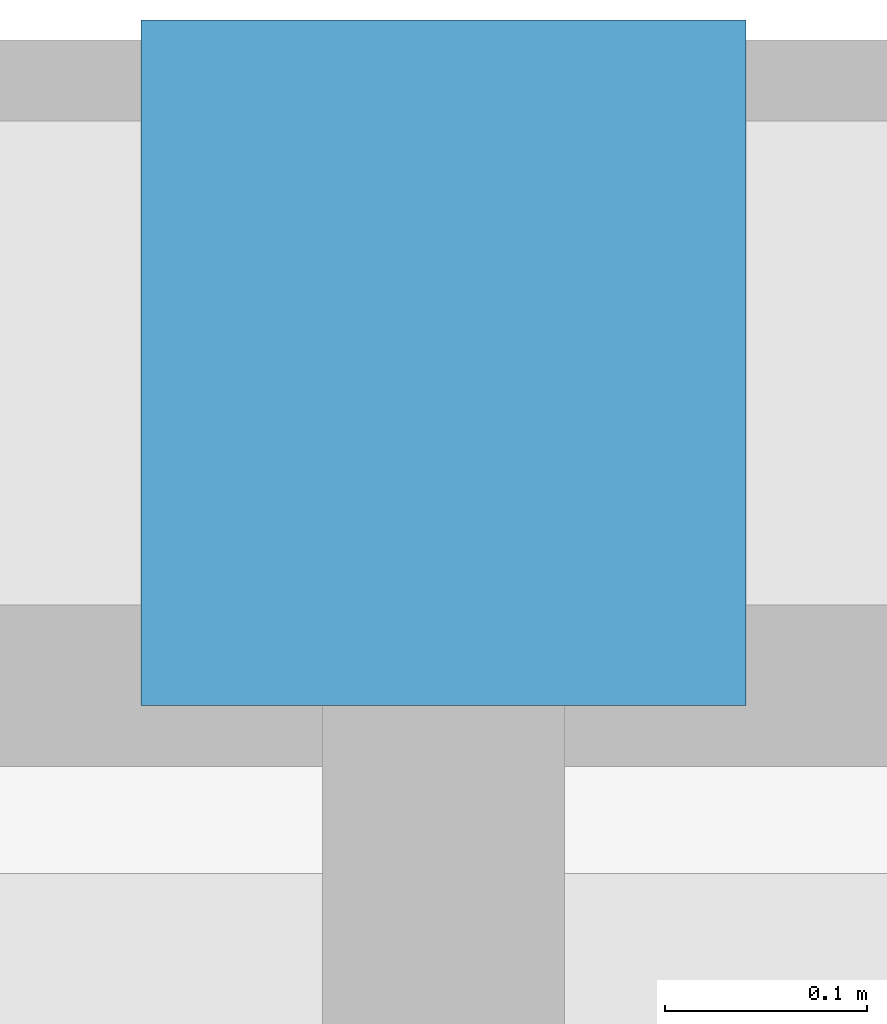
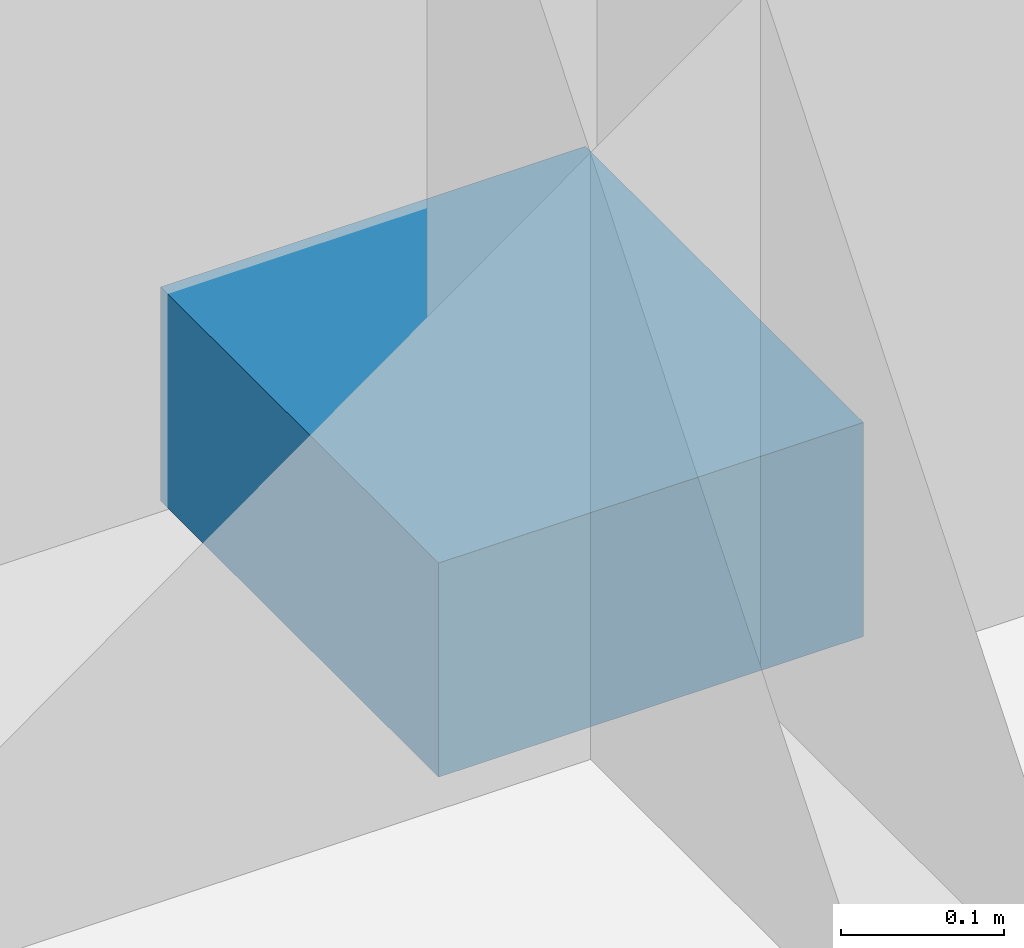
# One storey, part 6 of 12: 1 discrete accessory.
"""IFC4 building model written with IfcOpenShell, lengths in metres."""

from ifc_helpers import new_model, si_unit, direction, frame, origin, origin_2d, place, context, subcontext, project, spatial, rectangle, extrude, material, type_object, element, save


model = new_model("IFC4")

# Units and contexts
model_context = context("Model", 3, precision=1e-05, world=origin(), true_north=direction((0.0, 1.0)))
body_context = subcontext(model_context, "Body", "Model", "MODEL_VIEW")
ifc_project = project(units=[si_unit("LENGTHUNIT", "METRE"), si_unit("AREAUNIT", "SQUARE_METRE"), si_unit("VOLUMEUNIT", "CUBIC_METRE"), si_unit("PLANEANGLEUNIT", "RADIAN"), si_unit("MASSUNIT", "GRAM", prefix="KILO")], contexts=[model_context])

# Site, building, storey
site_placement = place(None, origin())
site = spatial("IfcSite", under=ifc_project, at=site_placement, CompositionType="ELEMENT")
building_placement = place(site_placement, origin())
building = spatial("IfcBuilding", under=site, at=building_placement, Name="Qhalaya Broadcast Tower", CompositionType="ELEMENT")
storey_placement = place(building_placement, frame((0.0, 0.0, 47.449951171875)))
storey = spatial("IfcBuildingStorey", under=building, at=storey_placement, Name="L13", CompositionType="ELEMENT", Elevation=47.449951171875)

# Discrete accessory
ifc_material = material(Name="Structural Steel ASTM A572 Grade 50", Category="steel")
discrete_accessory_type = type_object("IfcDiscreteAccessoryType", Name="Facade Baguette Support Bracket BRK-01", PredefinedType="BRACKET", material=ifc_material)
discrete_accessory_placement = place(storey_placement, frame((0.0, 26.280029296875, 0.0), z_axis=(0.0, 0.0, 1.0), x_axis=(-1.0, 0.0, 0.0)))
element("IfcDiscreteAccessory", 1, at=discrete_accessory_placement, inside=storey, type_object=discrete_accessory_type, Name="L13 Baguette Support Bracket N", PredefinedType="BRACKET", context=body_context, shape_type="SweptSolid", body=[
    extrude(rectangle(XDim=0.300048828125, YDim=0.340087890625, at=origin_2d()), origin(), (0.0, 0.0, 1.0), 0.159912109375),
])

save(model, "model.ifc")
